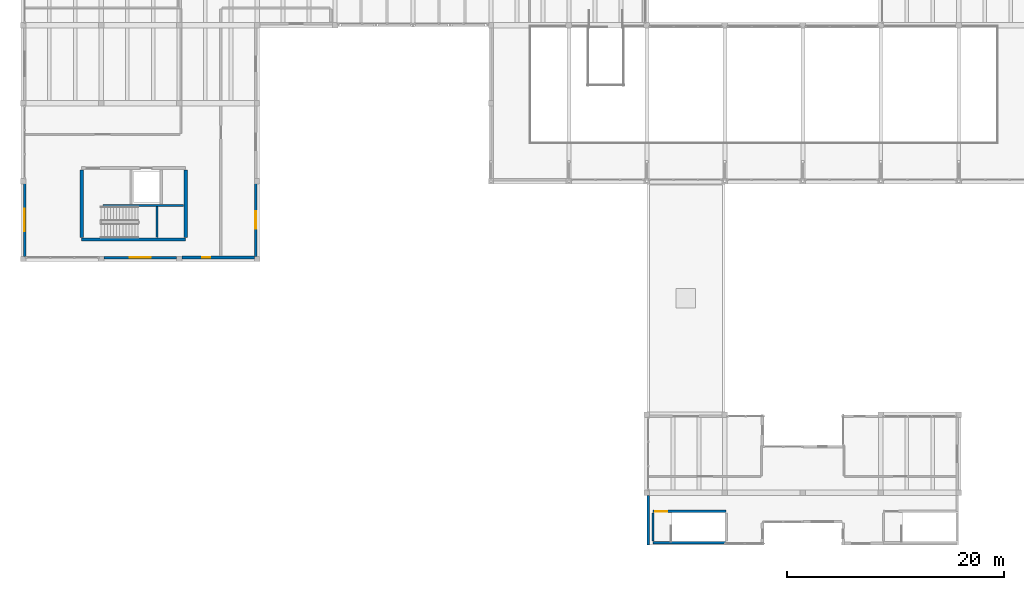
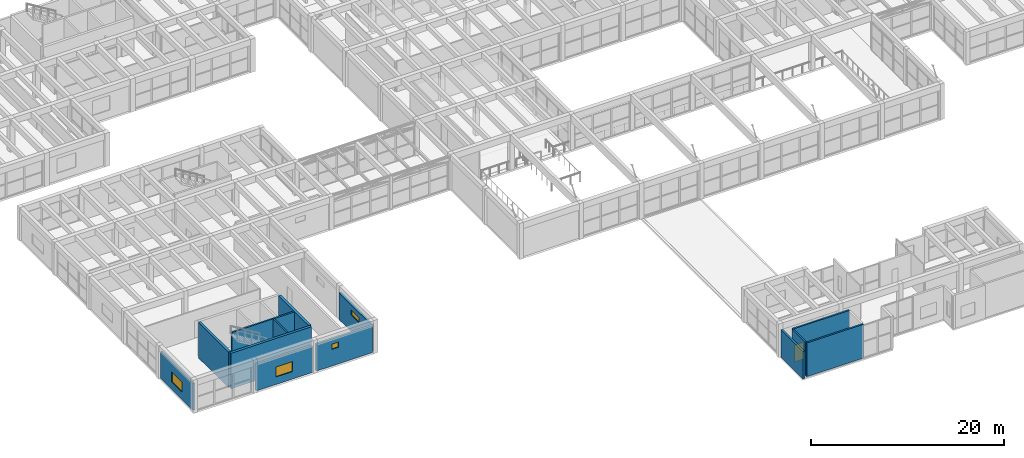
# One storey, part 133 of 153: 13 walls, 4 windows, 1 door, 5 openings.
"""IFC4 building model written with IfcOpenShell, lengths in metres."""

from ifc_helpers import new_model, si_unit, direction, frame, frame_2d, origin, place, context, subcontext, project, spatial, rectangle, extrude, material, layer, layer_set, type_object, element, fill, save


model = new_model("IFC4")

# Units and contexts
model_context = context("Model", 3, precision=1e-05, world=origin(), true_north=direction((0.0, 1.0)))
body_context = subcontext(model_context, "Body", "Model", "MODEL_VIEW")
ifc_project = project(units=[si_unit("LENGTHUNIT", "METRE"), si_unit("AREAUNIT", "SQUARE_METRE"), si_unit("VOLUMEUNIT", "CUBIC_METRE"), si_unit("PLANEANGLEUNIT", "RADIAN"), si_unit("MASSUNIT", "GRAM", prefix="KILO")], contexts=[model_context])

# Site, building, storey
site_placement = place(None, origin())
site = spatial("IfcSite", under=ifc_project, at=site_placement, CompositionType="ELEMENT")
building_placement = place(site_placement, origin())
building = spatial("IfcBuilding", under=site, at=building_placement, Name="Bramvelor Terrace Health Centre", CompositionType="ELEMENT")
storey_placement = place(building_placement, frame((0.0, 0.0, 4.800048828125)))
storey = spatial("IfcBuildingStorey", under=building, at=storey_placement, Name="L02", CompositionType="ELEMENT", Elevation=4.800048828125)

# Walls
ifc_material_1 = material(Name="Concrete C40/50", Category="concrete")
ifc_layer_1 = layer(ifc_material_1, 0.199951171875)
ifc_layer_set_1 = layer_set([ifc_layer_1], Name="Concrete C40/50")
wall_type_1 = type_object("IfcWallType", Name="WL-CORE-200", PredefinedType="SHEAR", material=ifc_layer_set_1)
wall_1_placement = place(storey_placement, frame((7.35009765625, 33.75, 0.0), z_axis=(0.0, 0.0, 1.0), x_axis=(1.0, 0.0, 0.0)))
element("IfcWall", 1, at=wall_1_placement, inside=storey, type_object=wall_type_1, Name="C3 L02 Core Shear Wall", PredefinedType="SHEAR", context=body_context, shape_type="SweptSolid", body=[
    extrude(rectangle(XDim=7.469970703125, YDim=0.199951171875, at=frame_2d((3.73486328125, 0.0))), origin(), (0.0, 0.0, 1.0), 4.5),
])
wall_2_placement = place(storey_placement, frame((12.35498046875, 30.780029296875, 0.0), z_axis=(0.0, 0.0, 1.0), x_axis=(0.0, 1.0, 0.0)))
element("IfcWall", 2, at=wall_2_placement, inside=storey, type_object=wall_type_1, Name="C3 L02 Core Shear Wall", PredefinedType="SHEAR", context=body_context, shape_type="SweptSolid", body=[
    extrude(rectangle(XDim=2.849853515625, YDim=0.199951171875, at=frame_2d((1.4248046875, 0.0))), origin(), (0.0, 0.0, 1.0), 4.5),
])
wall_3_placement = place(storey_placement, frame((58.14990234375, 2.60009765625, 0.0), z_axis=(0.0, 0.0, 1.0), x_axis=(1.0, 0.0, 0.0)))
element("IfcWall", 3, at=wall_3_placement, inside=storey, type_object=wall_type_1, Name="ST-9 L02 Stair Shaft Wall", PredefinedType="SHEAR", context=body_context, shape_type="SweptSolid", body=[
    extrude(rectangle(XDim=6.775146484375, YDim=0.199951171875, at=frame_2d((3.3876953125, 0.0))), origin(), (0.0, 0.0, 1.0), 4.27490234375),
])

# Wall, opening, door
wall_4_placement = place(storey_placement, frame((58.14990234375, 5.5, 0.0), z_axis=(0.0, 0.0, 1.0), x_axis=(1.0, 0.0, 0.0)))
wall_4 = element("IfcWall", 4, at=wall_4_placement, inside=storey, type_object=wall_type_1, Name="ST-9 L02 Stair Shaft Wall", PredefinedType="SHEAR", context=body_context, shape_type="SweptSolid", body=[
    extrude(rectangle(XDim=6.775146484375, YDim=0.199951171875, at=frame_2d((3.3876953125, 0.0))), origin(), (0.0, 0.0, 1.0), 4.27490234375),
])
opening_1_placement = place(wall_4_placement, frame((0.219970703125, 0.0, 0.0)))
opening_1 = element("IfcOpeningElement", 5, at=opening_1_placement, cuts=wall_4, Name="Opening FD-06", PredefinedType="OPENING", context=body_context, shape_type="SweptSolid", body=[
    extrude(rectangle(XDim=1.1201171875, YDim=2.139892578125, at=frame_2d((0.56005859375, 1.06982421875))), frame((0.0, 0.10986328125, 0.0), z_axis=(0.0, -1.0, 0.0), x_axis=(1.0, 0.0, 0.0)), (0.0, 0.0, 1.0), 0.219970703125),
])
ifc_material_2 = material(Name="Fire-rated steel and vision panel", Category="steel")
door_type = type_object("IfcDoorType", Name="DR-FD60-112", OperationType="NOTDEFINED", PredefinedType="DOOR", material=ifc_material_2)
door_placement = place(opening_1_placement, origin())
door = element("IfcDoor", 6, at=door_placement, inside=storey, type_object=door_type, Name="ST-9 L02 Exit Stair Fire Door", OperationType="SINGLE_SWING_RIGHT", OverallHeight=2.139892578125, OverallWidth=1.1201171875, PredefinedType="DOOR", context=body_context, shape_type="SweptSolid", body=[
    extrude(rectangle(XDim=1.1201171875, YDim=2.139892578125, at=frame_2d((0.56005859375, 1.06982421875))), frame((0.0, 0.02490234375, 0.0), z_axis=(0.0, -1.0, 0.0), x_axis=(1.0, 0.0, 0.0)), (0.0, 0.0, 1.0), 0.050048828125),
])
fill(opening_1, door)

# Walls
wall_5_placement = place(storey_placement, frame((58.14990234375, 2.75, 0.0), z_axis=(0.0, 0.0, 1.0), x_axis=(0.0, 1.0, 0.0)))
element("IfcWall", 7, at=wall_5_placement, inside=storey, type_object=wall_type_1, Name="ST-9 L02 Stair Shaft Wall", PredefinedType="SHEAR", context=body_context, shape_type="SweptSolid", body=[
    extrude(rectangle(XDim=2.60009765625, YDim=0.199951171875, at=frame_2d((1.300048828125, 0.0))), origin(), (0.0, 0.0, 1.0), 4.27490234375),
])
ifc_material_3 = material(Name="Concrete C40/50", Category="concrete")
ifc_layer_2 = layer(ifc_material_3, 0.300048828125)
ifc_layer_set_2 = layer_set([ifc_layer_2], Name="Concrete C40/50")
wall_type_2 = type_object("IfcWallType", Name="WL-CORE-300", PredefinedType="SHEAR", material=ifc_layer_set_2)
wall_6_placement = place(storey_placement, frame((5.39990234375, 30.60009765625, 0.0), z_axis=(0.0, 0.0, 1.0), x_axis=(1.0, 0.0, 0.0)))
element("IfcWall", 8, at=wall_6_placement, inside=storey, type_object=wall_type_2, Name="C3 L02 Core Shear Wall", PredefinedType="SHEAR", context=body_context, shape_type="SweptSolid", body=[
    extrude(rectangle(XDim=9.60009765625, YDim=0.300048828125, at=frame_2d((4.800048828125, 0.0))), origin(), (0.0, 0.0, 1.0), 4.5),
])
for number, where, z_axis, x_axis, name in (
    (9, (5.39990234375, 30.780029296875, 0.0), (0.0, 0.0, 1.0), (0.0, 1.0, 0.0), "C3 L02 Core Shear Wall"),
    (10, (15.0, 30.780029296875, 0.0), (0.0, 0.0, 1.0), (0.0, 1.0, 0.0), "C3 L02 Core Shear Wall"),
):
    element("IfcWall", number, at=place(storey_placement, frame(where, z_axis=z_axis, x_axis=x_axis)), inside=storey, type_object=wall_type_2, Name=name, PredefinedType="SHEAR", context=body_context, shape_type="SweptSolid", body=[
        extrude(rectangle(XDim=6.239990234375, YDim=0.300048828125, at=frame_2d((3.1201171875, 0.0))), origin(), (0.0, 0.0, 1.0), 4.5),
    ])

# Wall, opening, window
ifc_material_4 = material(Name="Concrete C40/50", Category="concrete")
ifc_layer_3 = layer(ifc_material_4, 0.260009765625)
ifc_layer_set_3 = layer_set([ifc_layer_3], Name="Concrete C40/50")
wall_type_3 = type_object("IfcWallType", Name="WL-EXT-RAD260", PredefinedType="SOLIDWALL", material=ifc_layer_set_3)
wall_7_placement = place(storey_placement, frame((21.469970703125, 35.7548828125, 0.0), z_axis=(0.0, 0.0, 1.0), x_axis=(0.0, -1.0, 0.0)))
wall_7 = element("IfcWall", 11, at=wall_7_placement, inside=storey, type_object=wall_type_3, Name="L02 Exterior Facade Wall 97", PredefinedType="SOLIDWALL", context=body_context, shape_type="SweptSolid", body=[
    extrude(rectangle(XDim=6.7099609375, YDim=0.260009765625, at=frame_2d((3.35498046875, 0.0))), origin(), (0.0, 0.0, 1.0), 3.39990234375),
])
opening_2_placement = place(wall_7_placement, frame((2.530029296875, 0.0, 2.10009765625)))
opening_2 = element("IfcOpeningElement", 12, at=opening_2_placement, cuts=wall_7, Name="Opening WN-07", PredefinedType="OPENING", context=body_context, shape_type="SweptSolid", body=[
    extrude(rectangle(XDim=1.64990234375, YDim=0.64990234375, at=frame_2d((0.824951171875, 0.324951171875))), frame((0.0, 0.139892578125, 0.0), z_axis=(0.0, -1.0, 0.0), x_axis=(1.0, 0.0, 0.0)), (0.0, 0.0, 1.0), 0.280029296875),
])
ifc_material_5 = material(Name="Double low-E laminated glass", Category="glass")
window_type_1 = type_object("IfcWindowType", Name="WIN-EXT-07", PartitioningType="SINGLE_PANEL", PredefinedType="WINDOW", material=ifc_material_5)
window_1_placement = place(opening_2_placement, origin())
window_1 = element("IfcWindow", 13, at=window_1_placement, inside=storey, type_object=window_type_1, Name="L02 Scheduled Clinical Window 91", OverallHeight=0.64990234375, OverallWidth=1.64990234375, PartitioningType="SINGLE_PANEL", PredefinedType="WINDOW", context=body_context, shape_type="SweptSolid", body=[
    extrude(rectangle(XDim=1.64990234375, YDim=0.64990234375, at=frame_2d((0.824951171875, 0.324951171875))), frame((0.0, 0.030029296875, 0.0), z_axis=(0.0, -1.0, 0.0), x_axis=(1.0, 0.0, 0.0)), (0.0, 0.0, 1.0), 0.06005859375),
])
fill(opening_2, window_1)

wall_8_placement = place(storey_placement, frame((21.35498046875, 28.929931640625, 0.0), z_axis=(0.0, 0.0, 1.0), x_axis=(-1.0, 0.0, 0.0)))
wall_8 = element("IfcWall", 14, at=wall_8_placement, inside=storey, type_object=wall_type_3, Name="L02 Exterior Facade Wall 98", PredefinedType="SOLIDWALL", context=body_context, shape_type="SweptSolid", body=[
    extrude(rectangle(XDim=6.7099609375, YDim=0.260009765625, at=frame_2d((3.35498046875, 0.0))), origin(), (0.0, 0.0, 1.0), 3.39990234375),
])
opening_3_placement = place(wall_8_placement, frame((4.080078125, 0.0, 2.10009765625)))
opening_3 = element("IfcOpeningElement", 15, at=opening_3_placement, cuts=wall_8, Name="Opening WN-01", PredefinedType="OPENING", context=body_context, shape_type="SweptSolid", body=[
    extrude(rectangle(XDim=0.75, YDim=0.64990234375, at=frame_2d((0.375, 0.324951171875))), frame((0.0, 0.139892578125, 0.0), z_axis=(0.0, -1.0, 0.0), x_axis=(1.0, 0.0, 0.0)), (0.0, 0.0, 1.0), 0.280029296875),
])
ifc_material_6 = material(Name="Double low-E laminated glass", Category="glass")
window_type_2 = type_object("IfcWindowType", Name="WIN-EXT-01", PartitioningType="SINGLE_PANEL", PredefinedType="WINDOW", material=ifc_material_6)
window_2_placement = place(opening_3_placement, origin())
window_2 = element("IfcWindow", 16, at=window_2_placement, inside=storey, type_object=window_type_2, Name="L02 Scheduled Clinical Window 92", OverallHeight=0.64990234375, OverallWidth=0.75, PartitioningType="SINGLE_PANEL", PredefinedType="WINDOW", context=body_context, shape_type="SweptSolid", body=[
    extrude(rectangle(XDim=0.75, YDim=0.64990234375, at=frame_2d((0.375, 0.324951171875))), frame((0.0, 0.030029296875, 0.0), z_axis=(0.0, -1.0, 0.0), x_axis=(1.0, 0.0, 0.0)), (0.0, 0.0, 1.0), 0.06005859375),
])
fill(opening_3, window_2)

ifc_material_7 = material(Name="Precast concrete C40/50", Category="concrete")
ifc_layer_4 = layer(ifc_material_7, 0.239990234375)
ifc_layer_set_4 = layer_set([ifc_layer_4], Name="Precast concrete C40/50")
wall_type_4 = type_object("IfcWallType", Name="WL-EXT-RC240", PredefinedType="SOLIDWALL", material=ifc_layer_set_4)
wall_9_placement = place(storey_placement, frame((14.155029296875, 28.929931640625, 0.0), z_axis=(0.0, 0.0, 1.0), x_axis=(-1.0, 0.0, 0.0)))
wall_9 = element("IfcWall", 17, at=wall_9_placement, inside=storey, type_object=wall_type_4, Name="L02 Exterior Facade Wall 99", PredefinedType="SOLIDWALL", context=body_context, shape_type="SweptSolid", body=[
    extrude(rectangle(XDim=6.7099609375, YDim=0.239990234375, at=frame_2d((3.35498046875, 0.0))), origin(), (0.0, 0.0, 1.0), 3.39990234375),
])
opening_4_placement = place(wall_9_placement, frame((2.3798828125, 0.0, 0.949951171875)))
opening_4 = element("IfcOpeningElement", 18, at=opening_4_placement, cuts=wall_9, Name="Opening WN-33", PredefinedType="OPENING", context=body_context, shape_type="SweptSolid", body=[
    extrude(rectangle(XDim=1.949951171875, YDim=1.25, at=frame_2d((0.97509765625, 0.625))), frame((0.0, 0.1298828125, 0.0), z_axis=(0.0, -1.0, 0.0), x_axis=(1.0, 0.0, 0.0)), (0.0, 0.0, 1.0), 0.260009765625),
])
ifc_material_8 = material(Name="Double low-E laminated glass", Category="glass")
window_type_3 = type_object("IfcWindowType", Name="WIN-EXT-33", PartitioningType="SINGLE_PANEL", PredefinedType="WINDOW", material=ifc_material_8)
window_3_placement = place(opening_4_placement, origin())
window_3 = element("IfcWindow", 19, at=window_3_placement, inside=storey, type_object=window_type_3, Name="L02 Scheduled Clinical Window 93", OverallHeight=1.25, OverallWidth=1.949951171875, PartitioningType="SINGLE_PANEL", PredefinedType="WINDOW", context=body_context, shape_type="SweptSolid", body=[
    extrude(rectangle(XDim=1.949951171875, YDim=1.25, at=frame_2d((0.97509765625, 0.625))), frame((0.0, 0.030029296875, 0.0), z_axis=(0.0, -1.0, 0.0), x_axis=(1.0, 0.0, 0.0)), (0.0, 0.0, 1.0), 0.06005859375),
])
fill(opening_4, window_3)

wall_10_placement = place(storey_placement, frame((0.1298828125, 29.044921875, 0.0), z_axis=(0.0, 0.0, 1.0), x_axis=(0.0, 1.0, 0.0)))
wall_10 = element("IfcWall", 20, at=wall_10_placement, inside=storey, type_object=wall_type_4, Name="L02 Exterior Facade Wall 101", PredefinedType="SOLIDWALL", context=body_context, shape_type="SweptSolid", body=[
    extrude(rectangle(XDim=6.7099609375, YDim=0.239990234375, at=frame_2d((3.35498046875, 0.0))), origin(), (0.0, 0.0, 1.0), 3.39990234375),
])
opening_5_placement = place(wall_10_placement, frame((2.304931640625, 0.0, 0.949951171875)))
opening_5 = element("IfcOpeningElement", 21, at=opening_5_placement, cuts=wall_10, Name="Opening WN-34", PredefinedType="OPENING", context=body_context, shape_type="SweptSolid", body=[
    extrude(rectangle(XDim=2.10009765625, YDim=1.25, at=frame_2d((1.050048828125, 0.625))), frame((0.0, 0.1298828125, 0.0), z_axis=(0.0, -1.0, 0.0), x_axis=(1.0, 0.0, 0.0)), (0.0, 0.0, 1.0), 0.260009765625),
])
ifc_material_9 = material(Name="Double low-E laminated glass", Category="glass")
window_type_4 = type_object("IfcWindowType", Name="WIN-EXT-34", PartitioningType="SINGLE_PANEL", PredefinedType="WINDOW", material=ifc_material_9)
window_4_placement = place(opening_5_placement, origin())
window_4 = element("IfcWindow", 22, at=window_4_placement, inside=storey, type_object=window_type_4, Name="L02 Scheduled Clinical Window 94", OverallHeight=1.25, OverallWidth=2.10009765625, PartitioningType="SINGLE_PANEL", PredefinedType="WINDOW", context=body_context, shape_type="SweptSolid", body=[
    extrude(rectangle(XDim=2.10009765625, YDim=1.25, at=frame_2d((1.050048828125, 0.625))), frame((0.0, 0.030029296875, 0.0), z_axis=(0.0, -1.0, 0.0), x_axis=(1.0, 0.0, 0.0)), (0.0, 0.0, 1.0), 0.06005859375),
])
fill(opening_5, window_4)

# Wall
wall_11_placement = place(storey_placement, frame((57.72998046875, 2.3798828125, 0.0), z_axis=(0.0, 0.0, 1.0), x_axis=(0.0, 1.0, 0.0)))
element("IfcWall", 23, at=wall_11_placement, inside=storey, type_object=wall_type_4, Name="L02 Exterior Facade Wall 139", PredefinedType="SOLIDWALL", context=body_context, shape_type="SweptSolid", body=[
    extrude(rectangle(XDim=4.5751953125, YDim=0.239990234375, at=frame_2d((2.28759765625, 0.0))), origin(), (0.0, 0.0, 1.0), 3.449951171875),
])

save(model, "model.ifc")
